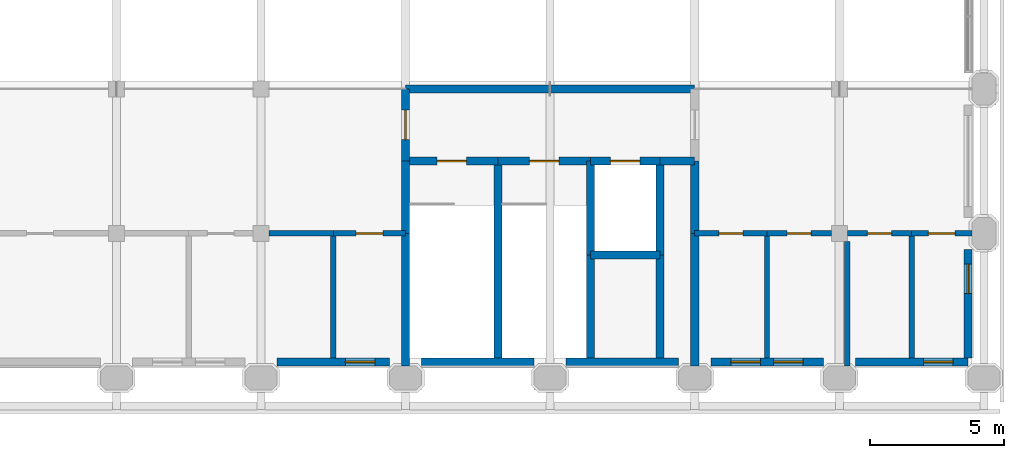
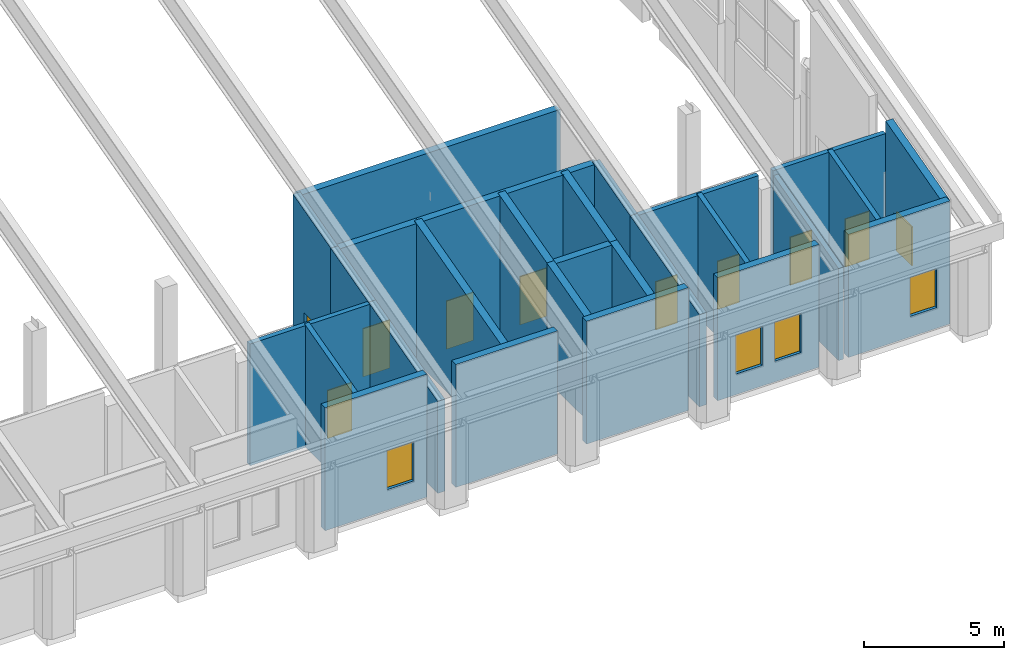
# One storey, part 31 of 42: 32 walls, 9 doors, 5 windows, 14 openings.
"""IFC4 building model written with IfcOpenShell, lengths in metres."""

from ifc_helpers import new_model, si_unit, direction, frame, frame_2d, origin, place, context, subcontext, project, spatial, polyline, rectangle, outline, extrude, material, layer, layer_set, type_object, element, fill, save


model = new_model("IFC4")

# Units and contexts
model_context = context("Model", 3, precision=1e-05, world=origin(), true_north=direction((0.0, 1.0)))
body_context = subcontext(model_context, "Body", "Model", "MODEL_VIEW")
ifc_project = project(units=[si_unit("LENGTHUNIT", "METRE"), si_unit("AREAUNIT", "SQUARE_METRE"), si_unit("VOLUMEUNIT", "CUBIC_METRE"), si_unit("PLANEANGLEUNIT", "RADIAN"), si_unit("MASSUNIT", "GRAM", prefix="KILO")], contexts=[model_context])

# Site, building, storey
site_placement = place(None, origin())
site = spatial("IfcSite", under=ifc_project, at=site_placement, CompositionType="ELEMENT")
building_placement = place(site_placement, origin())
building = spatial("IfcBuilding", under=site, at=building_placement, Name="Tabaq Tower and Sports Hall", CompositionType="ELEMENT")
storey_placement = place(building_placement, frame((0.0, 0.0, 19.800048828125)))
storey = spatial("IfcBuildingStorey", under=building, at=storey_placement, Name="L03", CompositionType="ELEMENT", Elevation=19.800048828125)

# Wall
ifc_material_1 = material(Name="Concrete C50/60", Category="concrete")
ifc_layer_1 = layer(ifc_material_1, 0.300048828125)
ifc_layer_set_1 = layer_set([ifc_layer_1], Name="HALL CORE WALL RC 300 C50/60")
wall_type_1 = type_object("IfcWallType", Name="HALL CORE WALL RC 300 C50/60", PredefinedType="SHEAR", material=ifc_layer_set_1)
wall_1_placement = place(storey_placement, frame((102.60009765625, 5.39990234375, 0.0), z_axis=(0.0, 0.0, 1.0), x_axis=(0.0, 1.0, 0.0)))
element("IfcWall", 1, at=wall_1_placement, inside=storey, type_object=wall_type_1, Name="L03 core wall 012", PredefinedType="SHEAR", context=body_context, shape_type="SweptSolid", body=[
    extrude(outline(polyline([(0.0, 0.0), (2.7001953125, 0.0), (2.699951171875, 6.0673828125), (0.0, 5.343994140625), (0.0, 0.0)])), frame((0.0, 0.14990234375, 0.0), z_axis=(0.0, -1.0, 0.0), x_axis=(1.0, 0.0, 0.0)), (0.0, 0.0, 1.0), 0.300048828125),
])

# Wall, opening, door
wall_2_placement = place(storey_placement, frame((102.60009765625, 8.10009765625, 0.0), z_axis=(0.0, 0.0, 1.0), x_axis=(0.0, 1.0, 0.0)))
wall_2 = element("IfcWall", 2, at=wall_2_placement, inside=storey, type_object=wall_type_1, Name="L03 core wall 013", PredefinedType="SHEAR", context=body_context, shape_type="SweptSolid", body=[
    extrude(outline(polyline([(0.0, 0.0), (2.699951171875, 0.0), (2.699951171875, 6.791015625), (0.0, 6.0673828125), (0.0, 0.0)])), frame((0.0, 0.14990234375, 0.0), z_axis=(0.0, -1.0, 0.0), x_axis=(1.0, 0.0, 0.0)), (0.0, 0.0, 1.0), 0.300048828125),
])
opening_1_placement = place(wall_2_placement, frame((0.800048828125, 0.0, 0.0)))
opening_1 = element("IfcOpeningElement", 3, at=opening_1_placement, cuts=wall_2, Name="Opening HD072", PredefinedType="OPENING", context=body_context, shape_type="SweptSolid", body=[
    extrude(rectangle(XDim=1.10009765625, YDim=2.10009765625, at=frame_2d((0.550048828125, 1.050048828125))), frame((0.0, 0.14990234375, 0.0), z_axis=(0.0, -1.0, 0.0), x_axis=(1.0, 0.0, 0.0)), (0.0, 0.0, 1.0), 0.300048828125),
])
ifc_material_2 = material(Name="Steel fire door leaf in steel frame", Category="steel")
door_type_1 = type_object("IfcDoorType", Name="HALL FIRE DOOR 1100x2100", OperationType="SINGLE_SWING_LEFT", PredefinedType="DOOR", material=ifc_material_2)
door_1_placement = place(opening_1_placement, origin())
door_1 = element("IfcDoor", 4, at=door_1_placement, inside=storey, type_object=door_type_1, Name="Door HD072", OperationType="SINGLE_SWING_LEFT", OverallHeight=2.10009765625, OverallWidth=1.10009765625, PredefinedType="DOOR", context=body_context, shape_type="SweptSolid", body=[
    extrude(rectangle(XDim=1.10009765625, YDim=2.10009765625, at=frame_2d((0.550048828125, 1.050048828125))), frame((0.0, 0.02490234375, 0.0), z_axis=(0.0, -1.0, 0.0), x_axis=(1.0, 0.0, 0.0)), (0.0, 0.0, 1.0), 0.050048828125),
])
fill(opening_1, door_1)

# Walls
wall_3_placement = place(storey_placement, frame((113.39990234375, 5.39990234375, 0.0), z_axis=(0.0, 0.0, 1.0), x_axis=(0.0, 1.0, 0.0)))
element("IfcWall", 5, at=wall_3_placement, inside=storey, type_object=wall_type_1, Name="L03 core wall 018", PredefinedType="SHEAR", context=body_context, shape_type="SweptSolid", body=[
    extrude(outline(polyline([(0.0, 0.0), (2.7001953125, 0.0), (2.699951171875, 6.0673828125), (0.0, 5.343994140625), (0.0, 0.0)])), frame((0.0, 0.14990234375, 0.0), z_axis=(0.0, -1.0, 0.0), x_axis=(1.0, 0.0, 0.0)), (0.0, 0.0, 1.0), 0.300048828125),
])
for number, where, z_axis, x_axis, name in (
    (6, (102.60009765625, 0.449951171875, 0.0), (0.0, 0.0, 1.0), (0.0, 1.0, 0.0), "L03 core wall 024"),
    (7, (113.39990234375, 0.449951171875, 0.0), (0.0, 0.0, 1.0), (0.0, 1.0, 0.0), "L03 core wall 026"),
):
    element("IfcWall", number, at=place(storey_placement, frame(where, z_axis=z_axis, x_axis=x_axis)), inside=storey, type_object=wall_type_1, Name=name, PredefinedType="SHEAR", context=body_context, shape_type="SweptSolid", body=[
        extrude(outline(polyline([(0.0, 0.0), (4.949951171875, 0.0), (4.949951171875, 5.343994140625), (0.0, 4.017578125), (0.0, 0.0)])), frame((0.0, 0.14990234375, 0.0), z_axis=(0.0, -1.0, 0.0), x_axis=(1.0, 0.0, 0.0)), (0.0, 0.0, 1.0), 0.300048828125),
    ])
wall_4_placement = place(storey_placement, frame((106.050048828125, 0.75, 0.0), z_axis=(0.0, 0.0, 1.0), x_axis=(0.0, 1.0, 0.0)))
element("IfcWall", 8, at=wall_4_placement, inside=storey, type_object=wall_type_1, Name="L03 core wall 041", PredefinedType="SHEAR", context=body_context, shape_type="SweptSolid", body=[
    extrude(outline(polyline([(0.0, 0.0), (7.35009765625, 0.0), (7.35009765625, 6.0673828125), (0.0, 4.09814453125), (0.0, 0.0)])), frame((0.0, 0.14990234375, 0.0), z_axis=(0.0, -1.0, 0.0), x_axis=(1.0, 0.0, 0.0)), (0.0, 0.0, 1.0), 0.300048828125),
])

# Wall, opening, door
wall_5_placement = place(storey_placement, frame((102.60009765625, 8.10009765625, 0.0), z_axis=(0.0, 0.0, 1.0), x_axis=(1.0, 0.0, 0.0)))
wall_5 = element("IfcWall", 9, at=wall_5_placement, inside=storey, type_object=wall_type_1, Name="L03 core wall 042", PredefinedType="SHEAR", context=body_context, shape_type="SweptSolid", body=[
    extrude(rectangle(XDim=3.449951171875, YDim=0.300048828125, at=frame_2d((1.72509765625, 0.0))), origin(), (0.0, 0.0, 1.0), 6.02734375),
])
opening_2_placement = place(wall_5_placement, frame((1.175048828125, 0.0, 0.0)))
opening_2 = element("IfcOpeningElement", 10, at=opening_2_placement, cuts=wall_5, Name="Opening HD084", PredefinedType="OPENING", context=body_context, shape_type="SweptSolid", body=[
    extrude(rectangle(XDim=1.10009765625, YDim=2.10009765625, at=frame_2d((0.550048828125, 1.050048828125))), frame((0.0, 0.14990234375, 0.0), z_axis=(0.0, -1.0, 0.0), x_axis=(1.0, 0.0, 0.0)), (0.0, 0.0, 1.0), 0.300048828125),
])
door_2_placement = place(opening_2_placement, origin())
door_2 = element("IfcDoor", 11, at=door_2_placement, inside=storey, type_object=door_type_1, Name="Door HD084", OperationType="SINGLE_SWING_LEFT", OverallHeight=2.10009765625, OverallWidth=1.10009765625, PredefinedType="DOOR", context=body_context, shape_type="SweptSolid", body=[
    extrude(rectangle(XDim=1.10009765625, YDim=2.10009765625, at=frame_2d((0.550048828125, 1.050048828125))), frame((0.0, 0.02490234375, 0.0), z_axis=(0.0, -1.0, 0.0), x_axis=(1.0, 0.0, 0.0)), (0.0, 0.0, 1.0), 0.050048828125),
])
fill(opening_2, door_2)

# Walls
wall_6_placement = place(storey_placement, frame((109.5, 4.60009765625, 0.0), z_axis=(0.0, 0.0, 1.0), x_axis=(0.0, 1.0, 0.0)))
element("IfcWall", 12, at=wall_6_placement, inside=storey, type_object=wall_type_1, Name="L03 core wall 043", PredefinedType="SHEAR", context=body_context, shape_type="SweptSolid", body=[
    extrude(outline(polyline([(0.0, 0.0), (3.5, 0.0), (3.5, 6.0673828125), (0.0, 5.129638671875), (0.0, 0.0)])), frame((0.0, 0.14990234375, 0.0), z_axis=(0.0, -1.0, 0.0), x_axis=(1.0, 0.0, 0.0)), (0.0, 0.0, 1.0), 0.300048828125),
])
wall_7_placement = place(storey_placement, frame((109.5, 0.75, 0.0), z_axis=(0.0, 0.0, 1.0), x_axis=(0.0, 1.0, 0.0)))
element("IfcWall", 13, at=wall_7_placement, inside=storey, type_object=wall_type_1, Name="L03 core wall 044", PredefinedType="SHEAR", context=body_context, shape_type="SweptSolid", body=[
    extrude(outline(polyline([(0.0, 0.0), (3.85009765625, 0.0), (3.85009765625, 5.129638671875), (0.0, 4.09814453125), (0.0, 0.0)])), frame((0.0, 0.14990234375, 0.0), z_axis=(0.0, -1.0, 0.0), x_axis=(1.0, 0.0, 0.0)), (0.0, 0.0, 1.0), 0.300048828125),
])

# Wall, opening, door
wall_8_placement = place(storey_placement, frame((106.050048828125, 8.10009765625, 0.0), z_axis=(0.0, 0.0, 1.0), x_axis=(1.0, 0.0, 0.0)))
wall_8 = element("IfcWall", 14, at=wall_8_placement, inside=storey, type_object=wall_type_1, Name="L03 core wall 045", PredefinedType="SHEAR", context=body_context, shape_type="SweptSolid", body=[
    extrude(rectangle(XDim=3.449951171875, YDim=0.300048828125, at=frame_2d((1.72509765625, 0.0))), origin(), (0.0, 0.0, 1.0), 6.02734375),
])
opening_3_placement = place(wall_8_placement, frame((1.175048828125, 0.0, 0.0)))
opening_3 = element("IfcOpeningElement", 15, at=opening_3_placement, cuts=wall_8, Name="Opening HD085", PredefinedType="OPENING", context=body_context, shape_type="SweptSolid", body=[
    extrude(rectangle(XDim=1.10009765625, YDim=2.10009765625, at=frame_2d((0.550048828125, 1.050048828125))), frame((0.0, 0.14990234375, 0.0), z_axis=(0.0, -1.0, 0.0), x_axis=(1.0, 0.0, 0.0)), (0.0, 0.0, 1.0), 0.300048828125),
])
door_3_placement = place(opening_3_placement, origin())
door_3 = element("IfcDoor", 16, at=door_3_placement, inside=storey, type_object=door_type_1, Name="Door HD085", OperationType="SINGLE_SWING_LEFT", OverallHeight=2.10009765625, OverallWidth=1.10009765625, PredefinedType="DOOR", context=body_context, shape_type="SweptSolid", body=[
    extrude(rectangle(XDim=1.10009765625, YDim=2.10009765625, at=frame_2d((0.550048828125, 1.050048828125))), frame((0.0, 0.02490234375, 0.0), z_axis=(0.0, -1.0, 0.0), x_axis=(1.0, 0.0, 0.0)), (0.0, 0.0, 1.0), 0.050048828125),
])
fill(opening_3, door_3)

# Walls
wall_9_placement = place(storey_placement, frame((109.5, 4.60009765625, 0.0), z_axis=(0.0, 0.0, 1.0), x_axis=(1.0, 0.0, 0.0)))
element("IfcWall", 17, at=wall_9_placement, inside=storey, type_object=wall_type_1, Name="L03 core wall 046", PredefinedType="SHEAR", context=body_context, shape_type="SweptSolid", body=[
    extrude(rectangle(XDim=2.60009765625, YDim=0.300048828125, at=frame_2d((1.300048828125, 0.0))), origin(), (0.0, 0.0, 1.0), 5.08935546875),
])
wall_10_placement = place(storey_placement, frame((112.10009765625, 4.60009765625, 0.0), z_axis=(0.0, 0.0, 1.0), x_axis=(0.0, 1.0, 0.0)))
element("IfcWall", 18, at=wall_10_placement, inside=storey, type_object=wall_type_1, Name="L03 core wall 047", PredefinedType="SHEAR", context=body_context, shape_type="SweptSolid", body=[
    extrude(outline(polyline([(0.0, 0.0), (3.5, 0.0), (3.5, 6.0673828125), (0.0, 5.129638671875), (0.0, 0.0)])), frame((0.0, 0.14990234375, 0.0), z_axis=(0.0, -1.0, 0.0), x_axis=(1.0, 0.0, 0.0)), (0.0, 0.0, 1.0), 0.300048828125),
])

# Wall, opening, door
wall_11_placement = place(storey_placement, frame((109.5, 8.10009765625, 0.0), z_axis=(0.0, 0.0, 1.0), x_axis=(1.0, 0.0, 0.0)))
wall_11 = element("IfcWall", 19, at=wall_11_placement, inside=storey, type_object=wall_type_1, Name="L03 core wall 048", PredefinedType="SHEAR", context=body_context, shape_type="SweptSolid", body=[
    extrude(rectangle(XDim=2.60009765625, YDim=0.300048828125, at=frame_2d((1.300048828125, 0.0))), origin(), (0.0, 0.0, 1.0), 6.02734375),
])
opening_4_placement = place(wall_11_placement, frame((0.75, 0.0, 0.0)))
opening_4 = element("IfcOpeningElement", 20, at=opening_4_placement, cuts=wall_11, Name="Opening LDB-L03", PredefinedType="OPENING", context=body_context, shape_type="SweptSolid", body=[
    extrude(rectangle(XDim=1.10009765625, YDim=2.10009765625, at=frame_2d((0.550048828125, 1.050048828125))), frame((0.0, 0.14990234375, 0.0), z_axis=(0.0, -1.0, 0.0), x_axis=(1.0, 0.0, 0.0)), (0.0, 0.0, 1.0), 0.300048828125),
])
ifc_material_3 = material(Name="Stainless steel landing door panels", Category="steel")
door_type_2 = type_object("IfcDoorType", Name="HALL LIFT LANDING DOOR 1100x2100", OperationType="SLIDING_TO_LEFT", PredefinedType="DOOR", material=ifc_material_3)
door_4_placement = place(opening_4_placement, origin())
door_4 = element("IfcDoor", 21, at=door_4_placement, inside=storey, type_object=door_type_2, Name="Door LDB-L03", OperationType="SLIDING_TO_LEFT", OverallHeight=2.10009765625, OverallWidth=1.10009765625, PredefinedType="DOOR", context=body_context, shape_type="SweptSolid", body=[
    extrude(rectangle(XDim=1.10009765625, YDim=2.10009765625, at=frame_2d((0.550048828125, 1.050048828125))), frame((0.0, 0.02490234375, 0.0), z_axis=(0.0, -1.0, 0.0), x_axis=(1.0, 0.0, 0.0)), (0.0, 0.0, 1.0), 0.050048828125),
])
fill(opening_4, door_4)

# Walls
wall_12_placement = place(storey_placement, frame((112.10009765625, 0.75, 0.0), z_axis=(0.0, 0.0, 1.0), x_axis=(0.0, 1.0, 0.0)))
element("IfcWall", 22, at=wall_12_placement, inside=storey, type_object=wall_type_1, Name="L03 core wall 049", PredefinedType="SHEAR", context=body_context, shape_type="SweptSolid", body=[
    extrude(outline(polyline([(0.0, 0.0), (3.85009765625, 0.0), (3.85009765625, 5.129638671875), (0.0, 4.09814453125), (0.0, 0.0)])), frame((0.0, 0.14990234375, 0.0), z_axis=(0.0, -1.0, 0.0), x_axis=(1.0, 0.0, 0.0)), (0.0, 0.0, 1.0), 0.300048828125),
])
wall_13_placement = place(storey_placement, frame((112.10009765625, 8.10009765625, 0.0), z_axis=(0.0, 0.0, 1.0), x_axis=(1.0, 0.0, 0.0)))
element("IfcWall", 23, at=wall_13_placement, inside=storey, type_object=wall_type_1, Name="L03 core wall 050", PredefinedType="SHEAR", context=body_context, shape_type="SweptSolid", body=[
    extrude(rectangle(XDim=1.2998046875, YDim=0.300048828125, at=frame_2d((0.64990234375, 0.0))), origin(), (0.0, 0.0, 1.0), 6.02734375),
])
wall_14_placement = place(storey_placement, frame((102.60009765625, 10.800048828125, 0.0), z_axis=(0.0, 0.0, 1.0), x_axis=(1.0, 0.0, 0.0)))
element("IfcWall", 24, at=wall_14_placement, inside=storey, type_object=wall_type_1, Name="L03 core wall 051", PredefinedType="SHEAR", context=body_context, shape_type="SweptSolid", body=[
    extrude(rectangle(XDim=10.7998046875, YDim=0.300048828125, at=frame_2d((5.39990234375, 0.0))), origin(), (0.0, 0.0, 1.0), 6.750732421875),
])
ifc_material_4 = material(Name="Blockwork partition with plaster both faces", Category="masonry")
ifc_layer_2 = layer(ifc_material_4, 0.199951171875)
ifc_layer_set_2 = layer_set([ifc_layer_2], Name="HALL PARTITION 200")
wall_type_2 = type_object("IfcWallType", Name="HALL PARTITION 200", PredefinedType="PARTITIONING", material=ifc_layer_set_2)
wall_15_placement = place(storey_placement, frame((97.5, 5.39990234375, 0.0), z_axis=(0.0, 0.0, 1.0), x_axis=(1.0, 0.0, 0.0)))
element("IfcWall", 25, at=wall_15_placement, inside=storey, type_object=wall_type_2, Name="L03 partition 008", PredefinedType="PARTITIONING", context=body_context, shape_type="SweptSolid", body=[
    extrude(rectangle(XDim=2.39990234375, YDim=0.199951171875, at=frame_2d((1.199951171875, 0.0))), origin(), (0.0, 0.0, 1.0), 5.317138671875),
])

# Wall, opening, door
wall_16_placement = place(storey_placement, frame((99.89990234375, 5.39990234375, 0.0), z_axis=(0.0, 0.0, 1.0), x_axis=(1.0, 0.0, 0.0)))
wall_16 = element("IfcWall", 26, at=wall_16_placement, inside=storey, type_object=wall_type_2, Name="L03 partition 009", PredefinedType="PARTITIONING", context=body_context, shape_type="SweptSolid", body=[
    extrude(rectangle(XDim=2.7001953125, YDim=0.199951171875, at=frame_2d((1.35009765625, 0.0))), origin(), (0.0, 0.0, 1.0), 5.317138671875),
])
opening_5_placement = place(wall_16_placement, frame((0.85009765625, 0.0, 0.0)))
opening_5 = element("IfcOpeningElement", 27, at=opening_5_placement, cuts=wall_16, Name="Opening HD077", PredefinedType="OPENING", context=body_context, shape_type="SweptSolid", body=[
    extrude(rectangle(XDim=1.0, YDim=2.10009765625, at=frame_2d((0.5, 1.050048828125))), frame((0.0, 0.10009765625, 0.0), z_axis=(0.0, -1.0, 0.0), x_axis=(1.0, 0.0, 0.0)), (0.0, 0.0, 1.0), 0.199951171875),
])
ifc_material_5 = material(Name="Timber veneer door leaf in steel frame", Category="steel")
door_type_3 = type_object("IfcDoorType", Name="HALL DOOR SINGLE 1000x2100", OperationType="SINGLE_SWING_LEFT", PredefinedType="DOOR", material=ifc_material_5)
door_5_placement = place(opening_5_placement, origin())
door_5 = element("IfcDoor", 28, at=door_5_placement, inside=storey, type_object=door_type_3, Name="Door HD077", OperationType="SINGLE_SWING_LEFT", OverallHeight=2.10009765625, OverallWidth=1.0, PredefinedType="DOOR", context=body_context, shape_type="SweptSolid", body=[
    extrude(rectangle(XDim=1.0, YDim=2.10009765625, at=frame_2d((0.5, 1.050048828125))), frame((0.0, 0.02490234375, 0.0), z_axis=(0.0, -1.0, 0.0), x_axis=(1.0, 0.0, 0.0)), (0.0, 0.0, 1.0), 0.050048828125),
])
fill(opening_5, door_5)

wall_17_placement = place(storey_placement, frame((113.39990234375, 5.39990234375, 0.0), z_axis=(0.0, 0.0, 1.0), x_axis=(1.0, 0.0, 0.0)))
wall_17 = element("IfcWall", 29, at=wall_17_placement, inside=storey, type_object=wall_type_2, Name="L03 partition 014", PredefinedType="PARTITIONING", context=body_context, shape_type="SweptSolid", body=[
    extrude(rectangle(XDim=2.7001953125, YDim=0.199951171875, at=frame_2d((1.35009765625, 0.0))), origin(), (0.0, 0.0, 1.0), 5.317138671875),
])
opening_6_placement = place(wall_17_placement, frame((0.89990234375, 0.0, 0.0)))
opening_6 = element("IfcOpeningElement", 30, at=opening_6_placement, cuts=wall_17, Name="Opening HD078", PredefinedType="OPENING", context=body_context, shape_type="SweptSolid", body=[
    extrude(rectangle(XDim=0.89990234375, YDim=2.10009765625, at=frame_2d((0.449951171875, 1.050048828125))), frame((0.0, 0.10009765625, 0.0), z_axis=(0.0, -1.0, 0.0), x_axis=(1.0, 0.0, 0.0)), (0.0, 0.0, 1.0), 0.199951171875),
])
ifc_material_6 = material(Name="Timber veneer door leaf in steel frame", Category="steel")
door_type_4 = type_object("IfcDoorType", Name="HALL DOOR SINGLE 900x2100", OperationType="SINGLE_SWING_LEFT", PredefinedType="DOOR", material=ifc_material_6)
door_6_placement = place(opening_6_placement, origin())
door_6 = element("IfcDoor", 31, at=door_6_placement, inside=storey, type_object=door_type_4, Name="Door HD078", OperationType="SINGLE_SWING_LEFT", OverallHeight=2.10009765625, OverallWidth=0.89990234375, PredefinedType="DOOR", context=body_context, shape_type="SweptSolid", body=[
    extrude(rectangle(XDim=0.89990234375, YDim=2.10009765625, at=frame_2d((0.449951171875, 1.050048828125))), frame((0.0, 0.02490234375, 0.0), z_axis=(0.0, -1.0, 0.0), x_axis=(1.0, 0.0, 0.0)), (0.0, 0.0, 1.0), 0.050048828125),
])
fill(opening_6, door_6)

wall_18_placement = place(storey_placement, frame((116.10009765625, 5.39990234375, 0.0), z_axis=(0.0, 0.0, 1.0), x_axis=(1.0, 0.0, 0.0)))
wall_18 = element("IfcWall", 32, at=wall_18_placement, inside=storey, type_object=wall_type_2, Name="L03 partition 015", PredefinedType="PARTITIONING", context=body_context, shape_type="SweptSolid", body=[
    extrude(rectangle(XDim=2.39990234375, YDim=0.199951171875, at=frame_2d((1.199951171875, 0.0))), origin(), (0.0, 0.0, 1.0), 5.317138671875),
])
opening_7_placement = place(wall_18_placement, frame((0.75, 0.0, 0.0)))
opening_7 = element("IfcOpeningElement", 33, at=opening_7_placement, cuts=wall_18, Name="Opening HD079", PredefinedType="OPENING", context=body_context, shape_type="SweptSolid", body=[
    extrude(rectangle(XDim=0.89990234375, YDim=2.10009765625, at=frame_2d((0.449951171875, 1.050048828125))), frame((0.0, 0.10009765625, 0.0), z_axis=(0.0, -1.0, 0.0), x_axis=(1.0, 0.0, 0.0)), (0.0, 0.0, 1.0), 0.199951171875),
])
door_7_placement = place(opening_7_placement, origin())
door_7 = element("IfcDoor", 34, at=door_7_placement, inside=storey, type_object=door_type_4, Name="Door HD079", OperationType="SINGLE_SWING_LEFT", OverallHeight=2.10009765625, OverallWidth=0.89990234375, PredefinedType="DOOR", context=body_context, shape_type="SweptSolid", body=[
    extrude(rectangle(XDim=0.89990234375, YDim=2.10009765625, at=frame_2d((0.449951171875, 1.050048828125))), frame((0.0, 0.02490234375, 0.0), z_axis=(0.0, -1.0, 0.0), x_axis=(1.0, 0.0, 0.0)), (0.0, 0.0, 1.0), 0.050048828125),
])
fill(opening_7, door_7)

wall_19_placement = place(storey_placement, frame((119.10009765625, 5.39990234375, 0.0), z_axis=(0.0, 0.0, 1.0), x_axis=(1.0, 0.0, 0.0)))
wall_19 = element("IfcWall", 35, at=wall_19_placement, inside=storey, type_object=wall_type_2, Name="L03 partition 016", PredefinedType="PARTITIONING", context=body_context, shape_type="SweptSolid", body=[
    extrude(rectangle(XDim=2.39990234375, YDim=0.199951171875, at=frame_2d((1.199951171875, 0.0))), origin(), (0.0, 0.0, 1.0), 5.317138671875),
])
opening_8_placement = place(wall_19_placement, frame((0.75, 0.0, 0.0)))
opening_8 = element("IfcOpeningElement", 36, at=opening_8_placement, cuts=wall_19, Name="Opening HD080", PredefinedType="OPENING", context=body_context, shape_type="SweptSolid", body=[
    extrude(rectangle(XDim=0.89990234375, YDim=2.10009765625, at=frame_2d((0.449951171875, 1.050048828125))), frame((0.0, 0.10009765625, 0.0), z_axis=(0.0, -1.0, 0.0), x_axis=(1.0, 0.0, 0.0)), (0.0, 0.0, 1.0), 0.199951171875),
])
door_8_placement = place(opening_8_placement, origin())
door_8 = element("IfcDoor", 37, at=door_8_placement, inside=storey, type_object=door_type_4, Name="Door HD080", OperationType="SINGLE_SWING_LEFT", OverallHeight=2.10009765625, OverallWidth=0.89990234375, PredefinedType="DOOR", context=body_context, shape_type="SweptSolid", body=[
    extrude(rectangle(XDim=0.89990234375, YDim=2.10009765625, at=frame_2d((0.449951171875, 1.050048828125))), frame((0.0, 0.02490234375, 0.0), z_axis=(0.0, -1.0, 0.0), x_axis=(1.0, 0.0, 0.0)), (0.0, 0.0, 1.0), 0.050048828125),
])
fill(opening_8, door_8)

wall_20_placement = place(storey_placement, frame((121.5, 5.39990234375, 0.0), z_axis=(0.0, 0.0, 1.0), x_axis=(1.0, 0.0, 0.0)))
wall_20 = element("IfcWall", 38, at=wall_20_placement, inside=storey, type_object=wall_type_2, Name="L03 partition 017", PredefinedType="PARTITIONING", context=body_context, shape_type="SweptSolid", body=[
    extrude(rectangle(XDim=2.25, YDim=0.199951171875, at=frame_2d((1.125, 0.0))), origin(), (0.0, 0.0, 1.0), 5.317138671875),
])
opening_9_placement = place(wall_20_placement, frame((0.625, 0.0, 0.0)))
opening_9 = element("IfcOpeningElement", 39, at=opening_9_placement, cuts=wall_20, Name="Opening HD081", PredefinedType="OPENING", context=body_context, shape_type="SweptSolid", body=[
    extrude(rectangle(XDim=1.0, YDim=2.10009765625, at=frame_2d((0.5, 1.050048828125))), frame((0.0, 0.10009765625, 0.0), z_axis=(0.0, -1.0, 0.0), x_axis=(1.0, 0.0, 0.0)), (0.0, 0.0, 1.0), 0.199951171875),
])
door_9_placement = place(opening_9_placement, origin())
door_9 = element("IfcDoor", 40, at=door_9_placement, inside=storey, type_object=door_type_3, Name="Door HD081", OperationType="SINGLE_SWING_LEFT", OverallHeight=2.10009765625, OverallWidth=1.0, PredefinedType="DOOR", context=body_context, shape_type="SweptSolid", body=[
    extrude(rectangle(XDim=1.0, YDim=2.10009765625, at=frame_2d((0.5, 1.050048828125))), frame((0.0, 0.02490234375, 0.0), z_axis=(0.0, -1.0, 0.0), x_axis=(1.0, 0.0, 0.0)), (0.0, 0.0, 1.0), 0.050048828125),
])
fill(opening_9, door_9)

# Walls
for number, where, z_axis, x_axis, name in (
    (41, (99.89990234375, 0.75, 0.0), (0.0, 0.0, 1.0), (0.0, 1.0, 0.0), "L03 partition 023"),
    (42, (116.10009765625, 0.75, 0.0), (0.0, 0.0, 1.0), (0.0, 1.0, 0.0), "L03 partition 025"),
):
    element("IfcWall", number, at=place(storey_placement, frame(where, z_axis=z_axis, x_axis=x_axis)), inside=storey, type_object=wall_type_2, Name=name, PredefinedType="PARTITIONING", context=body_context, shape_type="SweptSolid", body=[
        extrude(outline(polyline([(0.0, 0.0), (4.64990234375, 0.0), (4.64990234375, 5.343994140625), (0.0, 4.09814453125), (0.0, 0.0)])), frame((0.0, 0.10009765625, 0.0), z_axis=(0.0, -1.0, 0.0), x_axis=(1.0, 0.0, 0.0)), (0.0, 0.0, 1.0), 0.199951171875),
    ])
wall_21_placement = place(storey_placement, frame((119.10009765625, 0.449951171875, 0.0), z_axis=(0.0, 0.0, 1.0), x_axis=(0.0, 1.0, 0.0)))
element("IfcWall", 43, at=wall_21_placement, inside=storey, type_object=wall_type_2, Name="L03 partition 027", PredefinedType="PARTITIONING", context=body_context, shape_type="SweptSolid", body=[
    extrude(outline(polyline([(0.0, 0.0), (4.650146484375, 0.0), (4.64990234375, 5.263671875), (0.0, 4.017578125), (0.0, 0.0)])), frame((0.0, 0.10009765625, 0.0), z_axis=(0.0, -1.0, 0.0), x_axis=(1.0, 0.0, 0.0)), (0.0, 0.0, 1.0), 0.199951171875),
])
wall_22_placement = place(storey_placement, frame((121.5, 0.75, 0.0), z_axis=(0.0, 0.0, 1.0), x_axis=(0.0, 1.0, 0.0)))
element("IfcWall", 44, at=wall_22_placement, inside=storey, type_object=wall_type_2, Name="L03 partition 028", PredefinedType="PARTITIONING", context=body_context, shape_type="SweptSolid", body=[
    extrude(outline(polyline([(0.0, 0.0), (4.64990234375, 0.0), (4.64990234375, 5.343994140625), (0.0, 4.09814453125), (0.0, 0.0)])), frame((0.0, 0.10009765625, 0.0), z_axis=(0.0, -1.0, 0.0), x_axis=(1.0, 0.0, 0.0)), (0.0, 0.0, 1.0), 0.199951171875),
])

# Wall, opening, window
ifc_material_7 = material(Name="White precast concrete C60/75", Category="concrete")
ifc_layer_3 = layer(ifc_material_7, 0.300048828125)
ifc_layer_set_3 = layer_set([ifc_layer_3], Name="White precast concrete C60/75 external wall 300")
wall_type_3 = type_object("IfcWallType", Name="White precast concrete C60/75 external wall 300", PredefinedType="SOLIDWALL", material=ifc_layer_set_3)
wall_23_placement = place(storey_placement, frame((97.800048828125, 0.60009765625, 0.0), z_axis=(0.0, 0.0, 1.0), x_axis=(1.0, 0.0, 0.0)))
wall_23 = element("IfcWall", 45, at=wall_23_placement, inside=storey, type_object=wall_type_3, Name="L03 S facade panel", PredefinedType="SOLIDWALL", context=body_context, shape_type="SweptSolid", body=[
    extrude(outline(polyline([(0.0, 0.0), (4.199951171875, 0.0), (4.199951171875, 5.365234375), (0.0, 5.365234375), (0.0, 0.0)])), frame((0.0, 0.14990234375, 0.0), z_axis=(0.0, -1.0, 0.0), x_axis=(1.0, 0.0, 0.0)), (0.0, 0.0, 1.0), 0.300048828125),
])
opening_10_placement = place(wall_23_placement, frame((2.550048828125, 0.0, 0.89990234375)))
opening_10 = element("IfcOpeningElement", 46, at=opening_10_placement, cuts=wall_23, Name="Opening HW012", PredefinedType="OPENING", context=body_context, shape_type="SweptSolid", body=[
    extrude(rectangle(XDim=1.10009765625, YDim=1.699951171875, at=frame_2d((0.550048828125, 0.85009765625))), frame((0.0, 0.14990234375, 0.0), z_axis=(0.0, -1.0, 0.0), x_axis=(1.0, 0.0, 0.0)), (0.0, 0.0, 1.0), 0.300048828125),
])
ifc_material_8 = material(Name="Aluminium framed clear glazing", Category="aluminium")
window_type = type_object("IfcWindowType", Name="Window W1B", PartitioningType="SINGLE_PANEL", PredefinedType="WINDOW", material=ifc_material_8)
window_1_placement = place(opening_10_placement, origin())
window_1 = element("IfcWindow", 47, at=window_1_placement, inside=storey, type_object=window_type, Name="Window HW012", OverallHeight=1.699951171875, OverallWidth=1.10009765625, PartitioningType="SINGLE_PANEL", PredefinedType="WINDOW", context=body_context, shape_type="SweptSolid", body=[
    extrude(rectangle(XDim=1.10009765625, YDim=1.699951171875, at=frame_2d((0.550048828125, 0.85009765625))), frame((0.0, 0.030029296875, 0.0), z_axis=(0.0, -1.0, 0.0), x_axis=(1.0, 0.0, 0.0)), (0.0, 0.0, 1.0), 0.06005859375),
])
fill(opening_10, window_1)

# Walls
for number, where, z_axis, x_axis, name in (
    (48, (103.199951171875, 0.60009765625, 0.0), (0.0, 0.0, 1.0), (1.0, 0.0, 0.0), "L03 S facade panel"),
    (49, (108.60009765625, 0.60009765625, 0.0), (0.0, 0.0, 1.0), (1.0, 0.0, 0.0), "L03 S facade panel"),
):
    element("IfcWall", number, at=place(storey_placement, frame(where, z_axis=z_axis, x_axis=x_axis)), inside=storey, type_object=wall_type_3, Name=name, PredefinedType="SOLIDWALL", context=body_context, shape_type="SweptSolid", body=[
        extrude(outline(polyline([(0.0, 0.0), (4.199951171875, 0.0), (4.199951171875, 5.365234375), (0.0, 5.365234375), (0.0, 0.0)])), frame((0.0, 0.14990234375, 0.0), z_axis=(0.0, -1.0, 0.0), x_axis=(1.0, 0.0, 0.0)), (0.0, 0.0, 1.0), 0.300048828125),
    ])

# Wall, openings, windows
wall_24_placement = place(storey_placement, frame((114.0, 0.60009765625, 0.0), z_axis=(0.0, 0.0, 1.0), x_axis=(1.0, 0.0, 0.0)))
wall_24 = element("IfcWall", 50, at=wall_24_placement, inside=storey, type_object=wall_type_3, Name="L03 S facade panel", PredefinedType="SOLIDWALL", context=body_context, shape_type="SweptSolid", body=[
    extrude(outline(polyline([(0.0, 0.0), (4.199951171875, 0.0), (4.199951171875, 5.365234375), (0.0, 5.365234375), (0.0, 0.0)])), frame((0.0, 0.14990234375, 0.0), z_axis=(0.0, -1.0, 0.0), x_axis=(1.0, 0.0, 0.0)), (0.0, 0.0, 1.0), 0.300048828125),
])
opening_11_placement = place(wall_24_placement, frame((0.75, 0.0, 0.89990234375)))
opening_11 = element("IfcOpeningElement", 51, at=opening_11_placement, cuts=wall_24, Name="Opening HW017", PredefinedType="OPENING", context=body_context, shape_type="SweptSolid", body=[
    extrude(rectangle(XDim=1.10009765625, YDim=1.699951171875, at=frame_2d((0.550048828125, 0.85009765625))), frame((0.0, 0.14990234375, 0.0), z_axis=(0.0, -1.0, 0.0), x_axis=(1.0, 0.0, 0.0)), (0.0, 0.0, 1.0), 0.300048828125),
])
opening_12_placement = place(wall_24_placement, frame((2.35009765625, 0.0, 0.89990234375)))
opening_12 = element("IfcOpeningElement", 52, at=opening_12_placement, cuts=wall_24, Name="Opening HW018", PredefinedType="OPENING", context=body_context, shape_type="SweptSolid", body=[
    extrude(rectangle(XDim=1.10009765625, YDim=1.699951171875, at=frame_2d((0.550048828125, 0.85009765625))), frame((0.0, 0.14990234375, 0.0), z_axis=(0.0, -1.0, 0.0), x_axis=(1.0, 0.0, 0.0)), (0.0, 0.0, 1.0), 0.300048828125),
])
window_2_placement = place(opening_11_placement, origin())
window_2 = element("IfcWindow", 53, at=window_2_placement, inside=storey, type_object=window_type, Name="Window HW017", OverallHeight=1.699951171875, OverallWidth=1.10009765625, PartitioningType="SINGLE_PANEL", PredefinedType="WINDOW", context=body_context, shape_type="SweptSolid", body=[
    extrude(rectangle(XDim=1.10009765625, YDim=1.699951171875, at=frame_2d((0.550048828125, 0.85009765625))), frame((0.0, 0.030029296875, 0.0), z_axis=(0.0, -1.0, 0.0), x_axis=(1.0, 0.0, 0.0)), (0.0, 0.0, 1.0), 0.06005859375),
])
fill(opening_11, window_2)
window_3_placement = place(opening_12_placement, origin())
window_3 = element("IfcWindow", 54, at=window_3_placement, inside=storey, type_object=window_type, Name="Window HW018", OverallHeight=1.699951171875, OverallWidth=1.10009765625, PartitioningType="SINGLE_PANEL", PredefinedType="WINDOW", context=body_context, shape_type="SweptSolid", body=[
    extrude(rectangle(XDim=1.10009765625, YDim=1.699951171875, at=frame_2d((0.550048828125, 0.85009765625))), frame((0.0, 0.030029296875, 0.0), z_axis=(0.0, -1.0, 0.0), x_axis=(1.0, 0.0, 0.0)), (0.0, 0.0, 1.0), 0.06005859375),
])
fill(opening_12, window_3)

# Wall, opening, window
wall_25_placement = place(storey_placement, frame((119.39990234375, 0.60009765625, 0.0), z_axis=(0.0, 0.0, 1.0), x_axis=(1.0, 0.0, 0.0)))
wall_25 = element("IfcWall", 55, at=wall_25_placement, inside=storey, type_object=wall_type_3, Name="L03 S facade panel", PredefinedType="SOLIDWALL", context=body_context, shape_type="SweptSolid", body=[
    extrude(outline(polyline([(0.0, 0.0), (4.2001953125, 0.0), (4.199951171875, 5.365234375), (0.0, 5.365234375), (0.0, 0.0)])), frame((0.0, 0.14990234375, 0.0), z_axis=(0.0, -1.0, 0.0), x_axis=(1.0, 0.0, 0.0)), (0.0, 0.0, 1.0), 0.300048828125),
])
opening_13_placement = place(wall_25_placement, frame((2.550048828125, 0.0, 0.89990234375)))
opening_13 = element("IfcOpeningElement", 56, at=opening_13_placement, cuts=wall_25, Name="Opening HW024", PredefinedType="OPENING", context=body_context, shape_type="SweptSolid", body=[
    extrude(rectangle(XDim=1.10009765625, YDim=1.699951171875, at=frame_2d((0.550048828125, 0.85009765625))), frame((0.0, 0.14990234375, 0.0), z_axis=(0.0, -1.0, 0.0), x_axis=(1.0, 0.0, 0.0)), (0.0, 0.0, 1.0), 0.300048828125),
])
window_4_placement = place(opening_13_placement, origin())
window_4 = element("IfcWindow", 57, at=window_4_placement, inside=storey, type_object=window_type, Name="Window HW024", OverallHeight=1.699951171875, OverallWidth=1.10009765625, PartitioningType="SINGLE_PANEL", PredefinedType="WINDOW", context=body_context, shape_type="SweptSolid", body=[
    extrude(rectangle(XDim=1.10009765625, YDim=1.699951171875, at=frame_2d((0.550048828125, 0.85009765625))), frame((0.0, 0.030029296875, 0.0), z_axis=(0.0, -1.0, 0.0), x_axis=(1.0, 0.0, 0.0)), (0.0, 0.0, 1.0), 0.06005859375),
])
fill(opening_13, window_4)

wall_26_placement = place(storey_placement, frame((123.60009765625, 0.75, 0.0), z_axis=(0.0, 0.0, 1.0), x_axis=(0.0, 1.0, 0.0)))
wall_26 = element("IfcWall", 58, at=wall_26_placement, inside=storey, type_object=wall_type_3, Name="L03 E facade panel", PredefinedType="SOLIDWALL", context=body_context, shape_type="SweptSolid", body=[
    extrude(outline(polyline([(0.0, 0.0), (4.050048828125, 0.0), (4.050048828125, 6.2705078125), (0.0, 5.185302734375), (0.0, 0.0)])), frame((0.0, 0.14990234375, 0.0), z_axis=(0.0, -1.0, 0.0), x_axis=(1.0, 0.0, 0.0)), (0.0, 0.0, 1.0), 0.300048828125),
])
opening_14_placement = place(wall_26_placement, frame((2.39990234375, 0.0, 0.89990234375)))
opening_14 = element("IfcOpeningElement", 59, at=opening_14_placement, cuts=wall_26, Name="Opening HW040", PredefinedType="OPENING", context=body_context, shape_type="SweptSolid", body=[
    extrude(rectangle(XDim=1.10009765625, YDim=1.699951171875, at=frame_2d((0.550048828125, 0.85009765625))), frame((0.0, 0.14990234375, 0.0), z_axis=(0.0, -1.0, 0.0), x_axis=(1.0, 0.0, 0.0)), (0.0, 0.0, 1.0), 0.300048828125),
])
window_5_placement = place(opening_14_placement, origin())
window_5 = element("IfcWindow", 60, at=window_5_placement, inside=storey, type_object=window_type, Name="Window HW040", OverallHeight=1.699951171875, OverallWidth=1.10009765625, PartitioningType="SINGLE_PANEL", PredefinedType="WINDOW", context=body_context, shape_type="SweptSolid", body=[
    extrude(rectangle(XDim=1.10009765625, YDim=1.699951171875, at=frame_2d((0.550048828125, 0.85009765625))), frame((0.0, 0.030029296875, 0.0), z_axis=(0.0, -1.0, 0.0), x_axis=(1.0, 0.0, 0.0)), (0.0, 0.0, 1.0), 0.06005859375),
])
fill(opening_14, window_5)

save(model, "model.ifc")
